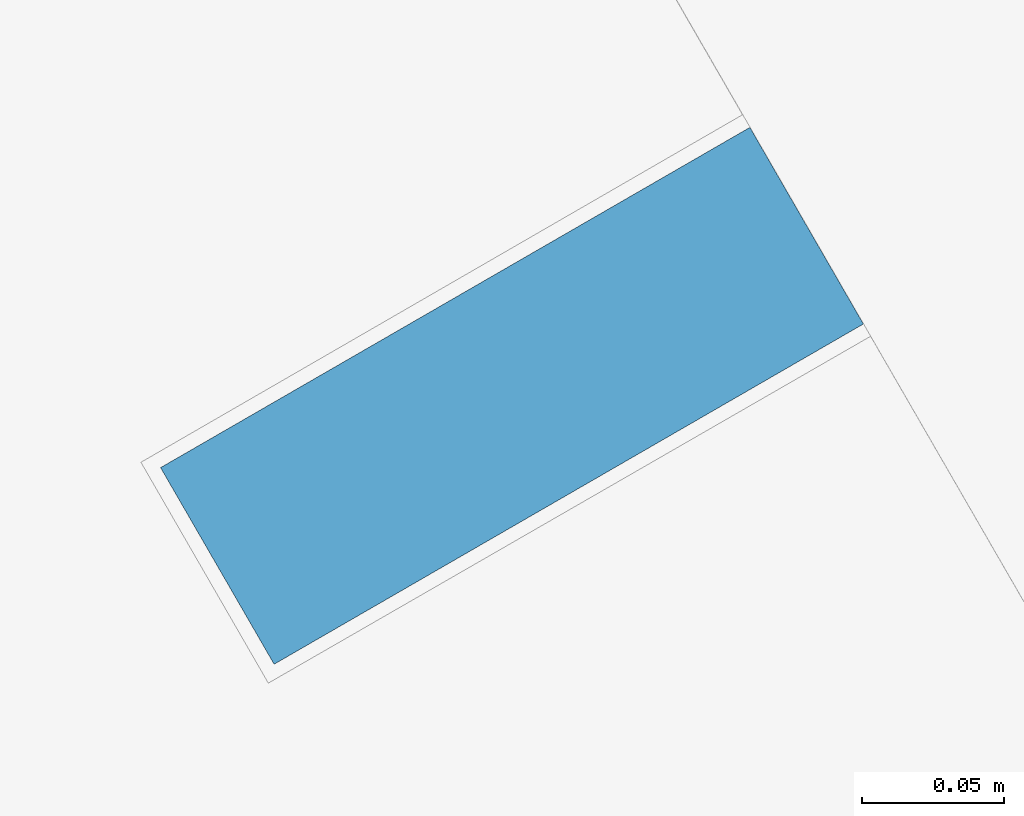
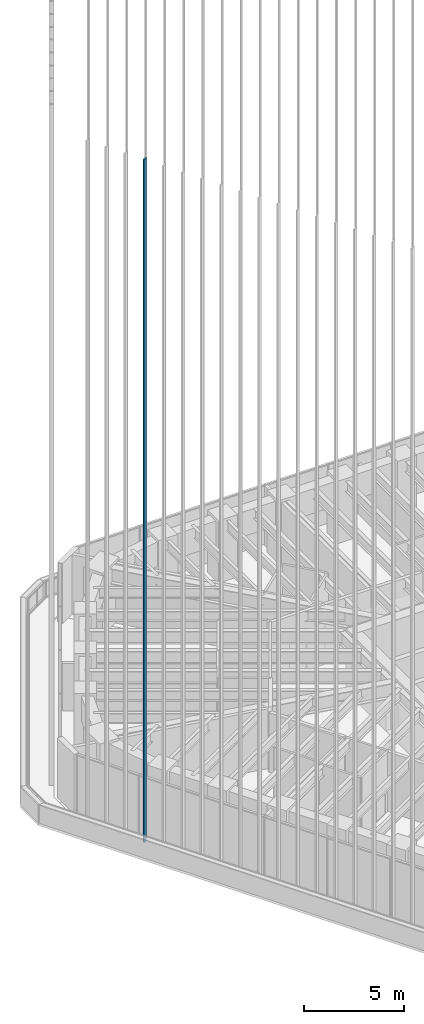
# One storey, part 25 of 127: 1 member, 1 element without a shape of its own.
"""IFC4 building model written with IfcOpenShell, lengths in metres."""

from ifc_helpers import new_model, si_unit, direction, frame, origin, origin_2d, place, context, subcontext, project, spatial, rectangle, extrude, material, material_profile, profile_set, type_object, element, aggregate, save


model = new_model("IFC4")

# Units and contexts
model_context = context("Model", 3, precision=1e-05, world=origin(), true_north=direction((0.0, 1.0)))
body_context = subcontext(model_context, "Body", "Model", "MODEL_VIEW")
ifc_project = project(units=[si_unit("LENGTHUNIT", "METRE"), si_unit("AREAUNIT", "SQUARE_METRE"), si_unit("VOLUMEUNIT", "CUBIC_METRE"), si_unit("PLANEANGLEUNIT", "RADIAN"), si_unit("MASSUNIT", "GRAM", prefix="KILO")], contexts=[model_context])

# Site, building, storey
site_placement = place(None, origin())
site = spatial("IfcSite", under=ifc_project, at=site_placement, CompositionType="ELEMENT")
building_placement = place(site_placement, origin())
building = spatial("IfcBuilding", under=site, at=building_placement, Name="Sandreach Pilgrim Tower", CompositionType="ELEMENT")
storey_placement = place(building_placement, frame((0.0, 0.0, 257.0)))
storey = spatial("IfcBuildingStorey", under=building, at=storey_placement, Name="L64", CompositionType="ELEMENT", Elevation=257.0)

# Curtain wall, member
ifc_material_1 = material(Name="Aluminium framed curtain wall", Category="aluminium")
curtain_wall_type = type_object("IfcCurtainWallType", Name="Suite tower curtain wall", PredefinedType="NOTDEFINED", material=ifc_material_1)
curtain_wall_placement = place(storey_placement, origin())
curtain_wall = element("IfcCurtainWall", 1, at=curtain_wall_placement, inside=storey, type_object=curtain_wall_type, Name="CW-4 L64 SW", PredefinedType="NOTDEFINED")
ifc_material_2 = material(Name="Extruded terracotta on aluminium core", Category="masonry")
ifc_material_profile = material_profile(ifc_material_2, rectangle(XDim=0.080078125, YDim=0.239990234375, at=origin_2d()), Name="TBW 80X240")
ifc_profile_set = profile_set([ifc_material_profile], Name="Extruded terracotta on aluminium core")
member_type = type_object("IfcMemberType", Name="Terracotta baguette west", PredefinedType="USERDEFINED", material=ifc_profile_set)
member_placement = place(storey_placement, frame((-23.598876953125, 0.381591796875, 0.0), z_axis=(0.0, 0.0, 1.0), x_axis=(-0.5, 0.866025403784, 0.0)))
member = element("IfcMember", 2, at=member_placement, type_object=member_type, Name="Baguette Z4 SW26", ObjectType="BAGUETTE", PredefinedType="USERDEFINED", context=body_context, shape_type="SweptSolid", body=[
    extrude(rectangle(XDim=0.080078125, YDim=0.239990234375, at=origin_2d()), origin(), (0.0, 0.0, 1.0), 41.639892578125),
])
aggregate(curtain_wall, [member])

save(model, "model.ifc")
